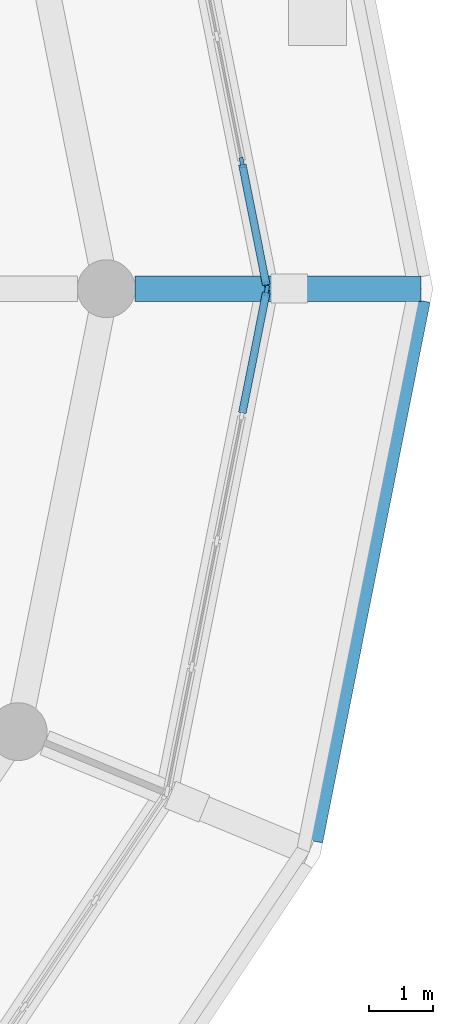
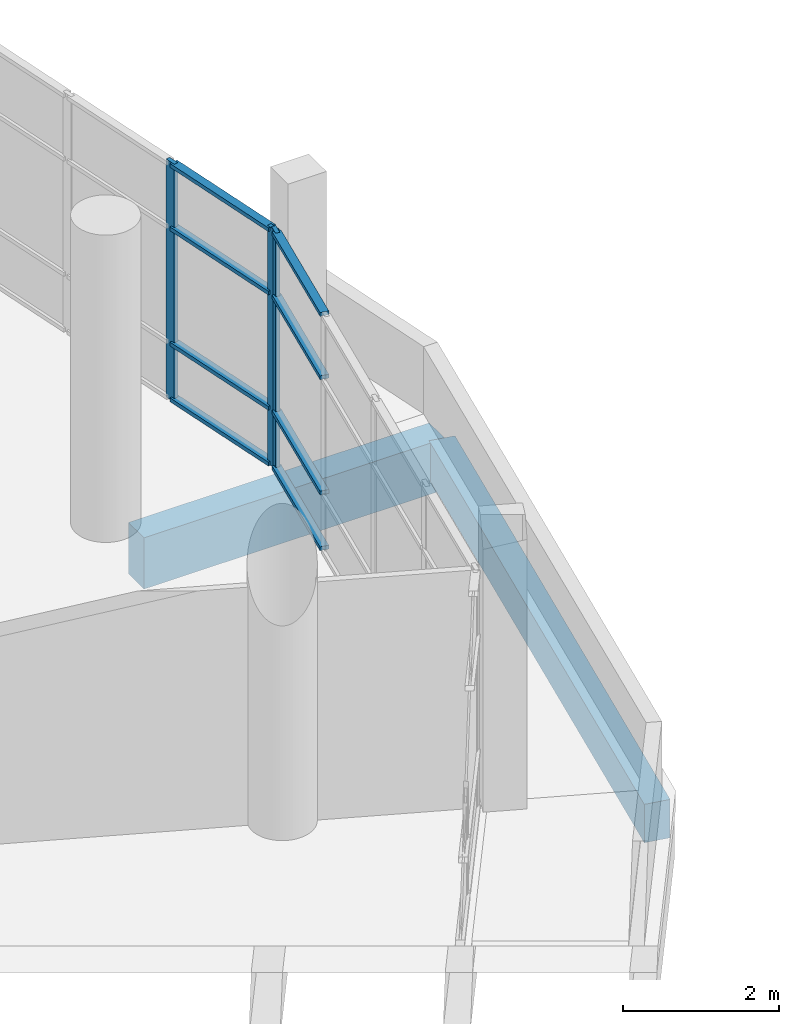
# One storey, part 7 of 21: 11 members, 2 beams, 2 elements without a shape of their own.
"""IFC4 building model written with IfcOpenShell, lengths in metres."""

from ifc_helpers import new_model, si_unit, direction, frame, origin, origin_2d, place, context, subcontext, project, spatial, rectangle, extrude, material, material_profile, profile_set, type_object, element, aggregate, save


model = new_model("IFC4")

# Units and contexts
model_context = context("Model", 3, precision=1e-05, world=origin(), true_north=direction((0.0, 1.0)))
body_context = subcontext(model_context, "Body", "Model", "MODEL_VIEW")
ifc_project = project(units=[si_unit("LENGTHUNIT", "METRE"), si_unit("AREAUNIT", "SQUARE_METRE"), si_unit("VOLUMEUNIT", "CUBIC_METRE"), si_unit("PLANEANGLEUNIT", "RADIAN"), si_unit("MASSUNIT", "GRAM", prefix="KILO")], contexts=[model_context])

# Site, building, storey
site_placement = place(None, origin())
site = spatial("IfcSite", under=ifc_project, at=site_placement, CompositionType="ELEMENT")
building_placement = place(site_placement, origin())
building = spatial("IfcBuilding", under=site, at=building_placement, Name="Ceibo Conservatory and Research Tower", CompositionType="ELEMENT")
storey_placement = place(building_placement, frame((0.0, 0.0, 15.60009765625)))
storey = spatial("IfcBuildingStorey", under=building, at=storey_placement, Name="L03", CompositionType="ELEMENT", Elevation=15.60009765625)

# Curtain wall, members
ifc_material_1 = material(Name="Aluminium and glass", Category="aluminium")
curtain_wall_type = type_object("IfcCurtainWallType", Name="Curtain wall CW1", PredefinedType="NOTDEFINED", material=ifc_material_1)
curtain_wall_1_placement = place(storey_placement, origin())
curtain_wall_1 = element("IfcCurtainWall", 1, at=curtain_wall_1_placement, inside=storey, type_object=curtain_wall_type, Name="CW-03.01", PredefinedType="NOTDEFINED")
ifc_material_2 = material(Name="Aluminium", Category="aluminium")
ifc_material_profile_1 = material_profile(ifc_material_2, rectangle(XDim=0.06005859375, YDim=0.159912109375, at=origin_2d()), Name="Aluminium 60 x 160")
ifc_profile_set_1 = profile_set([ifc_material_profile_1], Name="Aluminium")
member_type_1 = type_object("IfcMemberType", Name="Aluminium mullion 60 x 160", PredefinedType="MULLION", material=ifc_profile_set_1)
member_1_placement = place(storey_placement, frame((68.494140625, 120.029541015625, 0.0), z_axis=(0.0, 0.0, 1.0), x_axis=(-0.980785268711, -0.195090380799, 0.0)))
member_1 = element("IfcMember", 2, at=member_1_placement, type_object=member_type_1, Name="CW-03.01 mullion 1", PredefinedType="MULLION", context=body_context, shape_type="SweptSolid", body=[
    extrude(rectangle(XDim=0.06005859375, YDim=0.159912109375, at=origin_2d()), origin(), (0.0, 0.0, 1.0), 3.719970703125),
])
member_2_placement = place(storey_placement, frame((68.10986328125, 121.961181640625, 0.0), z_axis=(0.0, 0.0, 1.0), x_axis=(-0.980785268711, -0.195090380799, 0.0)))
member_2 = element("IfcMember", 3, at=member_2_placement, type_object=member_type_1, Name="CW-03.01 mullion 2", PredefinedType="MULLION", context=body_context, shape_type="SweptSolid", body=[
    extrude(rectangle(XDim=0.06005859375, YDim=0.159912109375, at=origin_2d()), origin(), (0.0, 0.0, 1.0), 3.719970703125),
])

# Curtain wall, member
curtain_wall_2_placement = place(storey_placement, origin())
curtain_wall_2 = element("IfcCurtainWall", 4, at=curtain_wall_2_placement, inside=storey, type_object=curtain_wall_type, Name="CW-03.16", PredefinedType="NOTDEFINED")
member_3_placement = place(storey_placement, frame((68.494140625, 119.970458984375, 0.0), z_axis=(0.0, 0.0, 1.0), x_axis=(-0.980785268711, 0.195090380799, 0.0)))
member_3 = element("IfcMember", 5, at=member_3_placement, type_object=member_type_1, Name="CW-03.16 mullion 5", PredefinedType="MULLION", context=body_context, shape_type="SweptSolid", body=[
    extrude(rectangle(XDim=0.06005859375, YDim=0.159912109375, at=origin_2d()), origin(), (0.0, 0.0, 1.0), 3.719970703125),
])

# Member
ifc_material_profile_2 = material_profile(ifc_material_2, rectangle(XDim=0.1201171875, YDim=0.06005859375, at=origin_2d()), Name="Aluminium 60 x 120")
ifc_profile_set_2 = profile_set([ifc_material_profile_2], Name="Aluminium")
member_type_2 = type_object("IfcMemberType", Name="Aluminium transom 60 x 120", PredefinedType="USERDEFINED", material=ifc_profile_set_2)
member_4_placement = place(storey_placement, frame((68.48828125, 120.058837890625, 0.02978515625), z_axis=(-0.195083474499, 0.980786642434, 0.0), x_axis=(-0.980786642434, -0.195083474499, 0.0)))
member_4 = element("IfcMember", 6, at=member_4_placement, type_object=member_type_2, Name="CW-03.01 transom 1.1", ObjectType="TRANSOM", PredefinedType="USERDEFINED", context=body_context, shape_type="SweptSolid", body=[
    extrude(rectangle(XDim=0.1201171875, YDim=0.06005859375, at=origin_2d()), origin(), (0.0, 0.0, 1.0), 1.90966796875),
])

member_5_placement = place(storey_placement, frame((68.48828125, 120.058837890625, 0.89990234375), z_axis=(-0.195083474499, 0.980786642434, 0.0), x_axis=(-0.980786642434, -0.195083474499, 0.0)))
member_5 = element("IfcMember", 7, at=member_5_placement, type_object=member_type_2, Name="CW-03.01 transom 1.2", ObjectType="TRANSOM", PredefinedType="USERDEFINED", context=body_context, shape_type="SweptSolid", body=[
    extrude(rectangle(XDim=0.1201171875, YDim=0.06005859375, at=origin_2d()), origin(), (0.0, 0.0, 1.0), 1.90966796875),
])

member_6_placement = place(storey_placement, frame((68.48828125, 120.058837890625, 2.699951171875), z_axis=(-0.195083474499, 0.980786642434, 0.0), x_axis=(-0.980786642434, -0.195083474499, 0.0)))
member_6 = element("IfcMember", 8, at=member_6_placement, type_object=member_type_2, Name="CW-03.01 transom 1.3", ObjectType="TRANSOM", PredefinedType="USERDEFINED", context=body_context, shape_type="SweptSolid", body=[
    extrude(rectangle(XDim=0.1201171875, YDim=0.06005859375, at=origin_2d()), origin(), (0.0, 0.0, 1.0), 1.90966796875),
])

member_7_placement = place(storey_placement, frame((68.48828125, 120.058837890625, 3.68994140625), z_axis=(-0.195083474499, 0.980786642434, 0.0), x_axis=(-0.980786642434, -0.195083474499, 0.0)))
member_7 = element("IfcMember", 9, at=member_7_placement, type_object=member_type_2, Name="CW-03.01 transom 1.4", ObjectType="TRANSOM", PredefinedType="USERDEFINED", context=body_context, shape_type="SweptSolid", body=[
    extrude(rectangle(XDim=0.1201171875, YDim=0.06005859375, at=origin_2d()), origin(), (0.0, 0.0, 1.0), 1.90966796875),
])

aggregate(curtain_wall_1, [member_1, member_2, member_4, member_5, member_6, member_7])

member_8_placement = place(storey_placement, frame((68.11572265625, 118.068115234375, 0.02978515625), z_axis=(0.195083474499, 0.980786642434, 0.0), x_axis=(-0.980786642434, 0.195083474499, 0.0)))
member_8 = element("IfcMember", 10, at=member_8_placement, type_object=member_type_2, Name="CW-03.16 transom 4.1", ObjectType="TRANSOM", PredefinedType="USERDEFINED", context=body_context, shape_type="SweptSolid", body=[
    extrude(rectangle(XDim=0.1201171875, YDim=0.06005859375, at=origin_2d()), origin(), (0.0, 0.0, 1.0), 1.90966796875),
])

member_9_placement = place(storey_placement, frame((68.11572265625, 118.068115234375, 0.89990234375), z_axis=(0.195083474499, 0.980786642434, 0.0), x_axis=(-0.980786642434, 0.195083474499, 0.0)))
member_9 = element("IfcMember", 11, at=member_9_placement, type_object=member_type_2, Name="CW-03.16 transom 4.2", ObjectType="TRANSOM", PredefinedType="USERDEFINED", context=body_context, shape_type="SweptSolid", body=[
    extrude(rectangle(XDim=0.1201171875, YDim=0.06005859375, at=origin_2d()), origin(), (0.0, 0.0, 1.0), 1.90966796875),
])

member_10_placement = place(storey_placement, frame((68.11572265625, 118.068115234375, 2.699951171875), z_axis=(0.195083474499, 0.980786642434, 0.0), x_axis=(-0.980786642434, 0.195083474499, 0.0)))
member_10 = element("IfcMember", 12, at=member_10_placement, type_object=member_type_2, Name="CW-03.16 transom 4.3", ObjectType="TRANSOM", PredefinedType="USERDEFINED", context=body_context, shape_type="SweptSolid", body=[
    extrude(rectangle(XDim=0.1201171875, YDim=0.06005859375, at=origin_2d()), origin(), (0.0, 0.0, 1.0), 1.90966796875),
])

member_11_placement = place(storey_placement, frame((68.11572265625, 118.068115234375, 3.68994140625), z_axis=(0.195083474499, 0.980786642434, 0.0), x_axis=(-0.980786642434, 0.195083474499, 0.0)))
member_11 = element("IfcMember", 13, at=member_11_placement, type_object=member_type_2, Name="CW-03.16 transom 4.4", ObjectType="TRANSOM", PredefinedType="USERDEFINED", context=body_context, shape_type="SweptSolid", body=[
    extrude(rectangle(XDim=0.1201171875, YDim=0.06005859375, at=origin_2d()), origin(), (0.0, 0.0, 1.0), 1.90966796875),
])

aggregate(curtain_wall_2, [member_3, member_8, member_9, member_10, member_11])

# Beams
ifc_material_3 = material(Name="Concrete C35/45", Category="concrete")
ifc_material_profile_3 = material_profile(ifc_material_3, rectangle(XDim=0.35009765625, YDim=0.60009765625, at=origin_2d()), Name="RC 350x600")
ifc_profile_set_3 = profile_set([ifc_material_profile_3], Name="Concrete C35/45")
beam_type_1 = type_object("IfcBeamType", Name="RC beam 350x600 C35", PredefinedType="BEAM", material=ifc_profile_set_3)
beam_1_placement = place(storey_placement, frame((69.192626953125, 111.4169921875, -0.580078125), z_axis=(0.195091228051, 0.980785100181, 0.0), x_axis=(-0.980785100181, 0.195091228051, 0.0)))
element("IfcBeam", 14, at=beam_1_placement, inside=storey, type_object=beam_type_1, Name="Edge beam 16 L03", PredefinedType="BEAM", context=body_context, shape_type="SweptSolid", body=[
    extrude(rectangle(XDim=0.35009765625, YDim=0.60009765625, at=origin_2d()), origin(), (0.0, 0.0, 1.0), 8.567138671875),
])
ifc_material_profile_4 = material_profile(ifc_material_3, rectangle(XDim=0.39990234375, YDim=0.800048828125, at=origin_2d()), Name="RC 400x800")
ifc_profile_set_4 = profile_set([ifc_material_profile_4], Name="Concrete C35/45")
beam_type_2 = type_object("IfcBeamType", Name="RC cantilever beam 400x800 C35", PredefinedType="BEAM", material=ifc_profile_set_4)
beam_2_placement = place(storey_placement, frame((66.449951171875, 120.0, -0.68017578125), z_axis=(1.0, 0.0, 0.0), x_axis=(0.0, 1.0, 0.0)))
element("IfcBeam", 15, at=beam_2_placement, inside=storey, type_object=beam_type_2, Name="Radial cantilever beam R1 L03", PredefinedType="BEAM", context=body_context, shape_type="SweptSolid", body=[
    extrude(rectangle(XDim=0.39990234375, YDim=0.800048828125, at=origin_2d()), origin(), (0.0, 0.0, 1.0), 4.445068359375),
])

save(model, "model.ifc")
